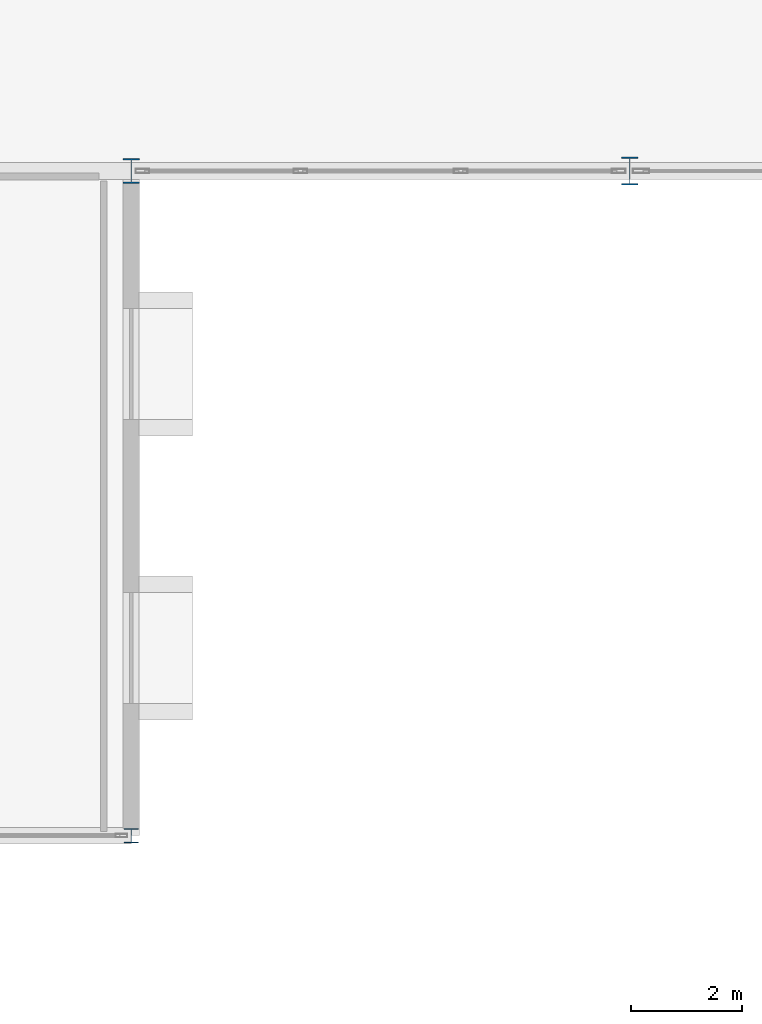
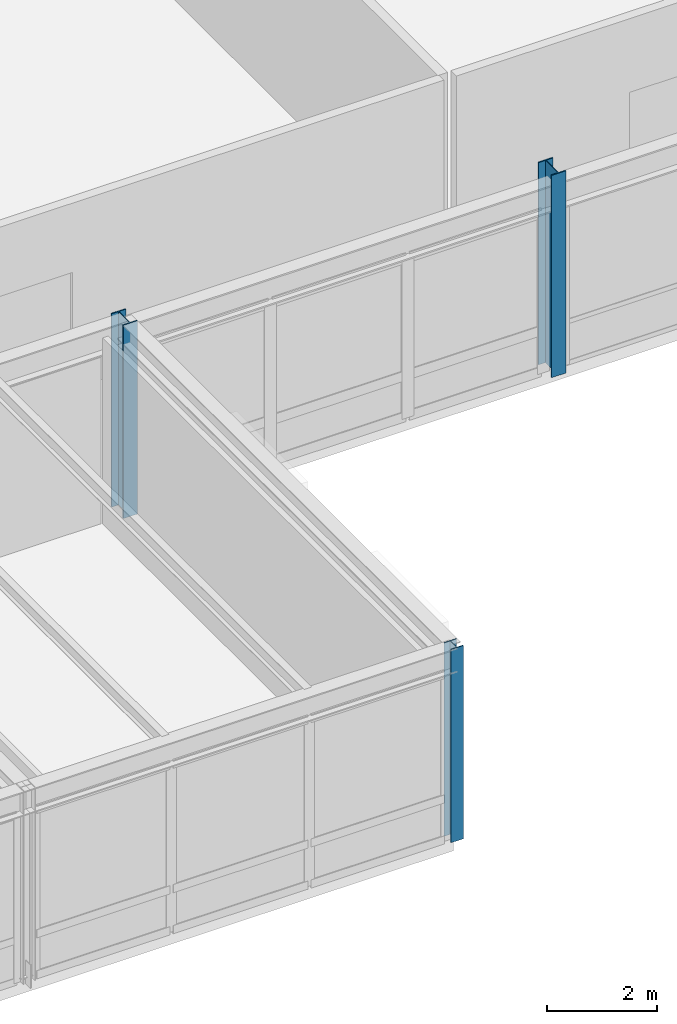
# One storey, part 6 of 67: 3 columns.
"""IFC4 building model written with IfcOpenShell, lengths in metres."""

from ifc_helpers import new_model, si_unit, direction, frame, origin, origin_2d, place, context, subcontext, project, spatial, i_section, extrude, material, material_profile, profile_set, type_object, element, save


model = new_model("IFC4")

# Units and contexts
model_context = context("Model", 3, precision=1e-05, world=origin(), true_north=direction((0.0, 1.0)))
body_context = subcontext(model_context, "Body", "Model", "MODEL_VIEW")
ifc_project = project(units=[si_unit("LENGTHUNIT", "METRE"), si_unit("AREAUNIT", "SQUARE_METRE"), si_unit("VOLUMEUNIT", "CUBIC_METRE"), si_unit("PLANEANGLEUNIT", "RADIAN"), si_unit("MASSUNIT", "GRAM", prefix="KILO")], contexts=[model_context])

# Site, building, storey
site_placement = place(None, origin())
site = spatial("IfcSite", under=ifc_project, at=site_placement, CompositionType="ELEMENT")
building_placement = place(site_placement, origin())
building = spatial("IfcBuilding", under=site, at=building_placement, Name="Montelvaro Courts of Justice", CompositionType="ELEMENT")
storey_placement = place(building_placement, frame((0.0, 0.0, 18.89990234375)))
storey = spatial("IfcBuildingStorey", under=building, at=storey_placement, Name="L04", CompositionType="ELEMENT", Elevation=18.89990234375)

# Columns
ifc_material = material(Name="Steel S355", Category="steel")
ifc_material_profile_1 = material_profile(ifc_material, i_section(OverallWidth=0.260009765625, OverallDepth=0.260009765625, WebThickness=0.010009765625, FlangeThickness=0.017578125, at=origin_2d()), Name="HEB 260")
ifc_profile_set_1 = profile_set([ifc_material_profile_1], Name="Steel S355")
column_type_1 = type_object("IfcColumnType", Name="Col_HEB260", PredefinedType="COLUMN", material=ifc_profile_set_1)
column_1_placement = place(storey_placement, frame((135.0, 66.0, 0.0), z_axis=(0.0, 0.0, 1.0), x_axis=(1.0, 0.0, 0.0)))
element("IfcColumn", 1, at=column_1_placement, inside=storey, type_object=column_type_1, Name="Column C-01 L04 16/F", PredefinedType="COLUMN", context=body_context, shape_type="SweptSolid", body=[
    extrude(i_section(OverallWidth=0.260009765625, OverallDepth=0.260009765625, WebThickness=0.010009765625, FlangeThickness=0.017578125, at=origin_2d()), origin(), (0.0, 0.0, 1.0), 4.300048828125),
])
ifc_material_profile_2 = material_profile(ifc_material, i_section(OverallWidth=0.300048828125, OverallDepth=0.449951171875, WebThickness=0.013916015625, FlangeThickness=0.02587890625, at=origin_2d()), Name="HEB 450")
ifc_profile_set_2 = profile_set([ifc_material_profile_2], Name="Steel S355")
column_type_2 = type_object("IfcColumnType", Name="Col_HEB450", PredefinedType="COLUMN", material=ifc_profile_set_2)
column_2_placement = place(storey_placement, frame((135.0, 78.0, 0.0), z_axis=(0.0, 0.0, 1.0), x_axis=(1.0, 0.0, 0.0)))
element("IfcColumn", 2, at=column_2_placement, inside=storey, type_object=column_type_2, Name="Column C-08 L04 16/G", PredefinedType="COLUMN", context=body_context, shape_type="SweptSolid", body=[
    extrude(i_section(OverallWidth=0.300048828125, OverallDepth=0.449951171875, WebThickness=0.013916015625, FlangeThickness=0.02587890625, at=origin_2d()), origin(), (0.0, 0.0, 1.0), 4.300048828125),
])
ifc_material_profile_3 = material_profile(ifc_material, i_section(OverallWidth=0.300048828125, OverallDepth=0.5, WebThickness=0.014404296875, FlangeThickness=0.028076171875, at=origin_2d()), Name="HEB 500")
ifc_profile_set_3 = profile_set([ifc_material_profile_3], Name="Steel S355")
column_type_3 = type_object("IfcColumnType", Name="Col_HEB500", PredefinedType="COLUMN", material=ifc_profile_set_3)
column_3_placement = place(storey_placement, frame((144.0, 78.0, 0.0), z_axis=(0.0, 0.0, 1.0), x_axis=(1.0, 0.0, 0.0)))
element("IfcColumn", 3, at=column_3_placement, inside=storey, type_object=column_type_3, Name="Column C-09 L04 17/G", PredefinedType="COLUMN", context=body_context, shape_type="SweptSolid", body=[
    extrude(i_section(OverallWidth=0.300048828125, OverallDepth=0.5, WebThickness=0.014404296875, FlangeThickness=0.028076171875, at=origin_2d()), origin(), (0.0, 0.0, 1.0), 4.5),
])

save(model, "model.ifc")
